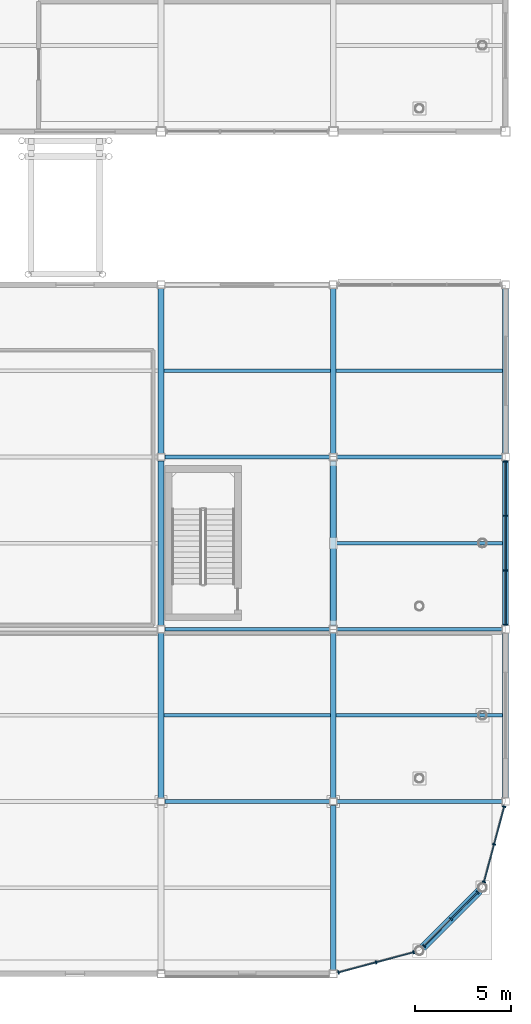
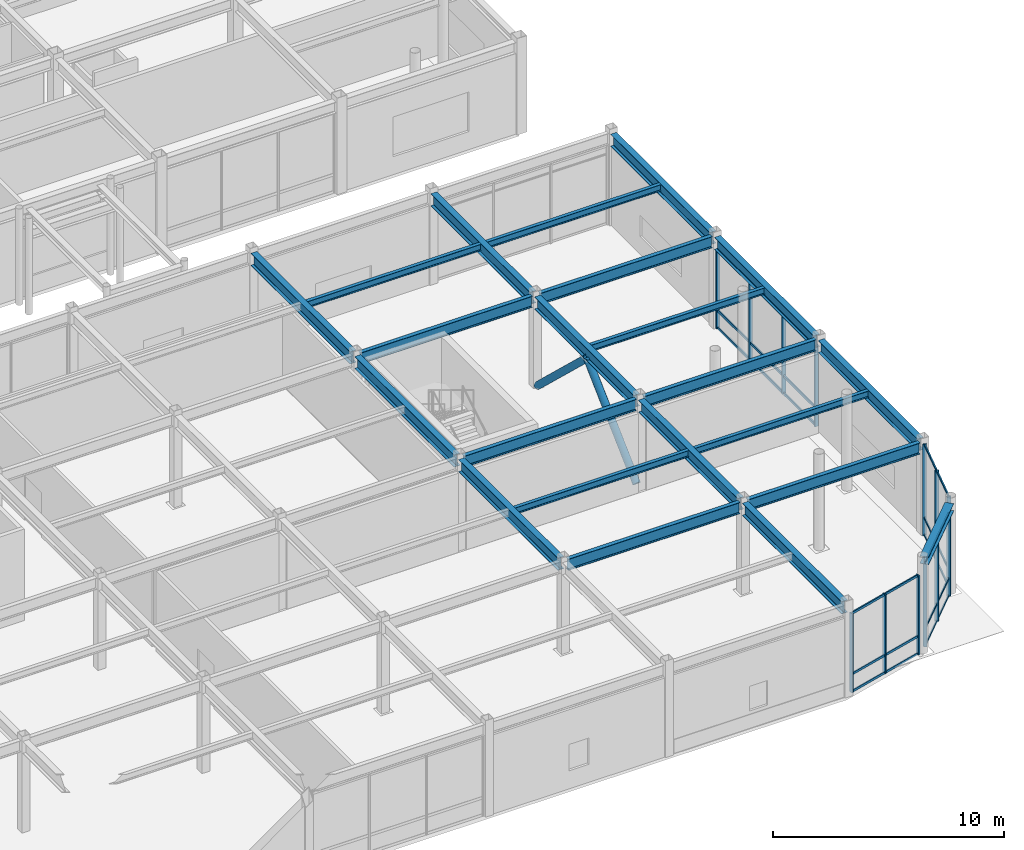
# One storey, part 56 of 123: 42 members, 22 beams, 4 elements without a shape of their own.
"""IFC4 building model written with IfcOpenShell, lengths in metres."""

import ifcopenshell
import ifcopenshell.guid

model = None  # the IFC model being written
_history = None  # IfcOwnerHistory: only IFC2X3 demands one
_inside = {}  # id of a spatial element -> (the spatial element, [elements in it])
_under = {}  # id of a project, library or spatial element -> (it, [spatial elements below it])
_declared = {}  # id of a project -> (the project, [libraries it declares])
_typed = {}  # id of a type object -> (the type object, [elements of that type])
_made_of = {}  # id of a material, layer set ... -> (it, [elements and type objects made of it])


def new_model(schema):
    """Start an empty IFC model of exactly this schema.

    Asked for "IFC4X3", IfcOpenShell would pick the latest addendum, in which some entities
    have other attributes; the version numbers below select the first issue.
    IFC2X3 requires an IfcOwnerHistory on every rooted entity: one is made here for all.
    """
    global model, _history
    if schema == "IFC4X3":
        model = ifcopenshell.file(schema_version=(4, 3, 0, 0))
    else:
        model = ifcopenshell.file(schema=schema)
    _inside.clear()
    _under.clear()
    _declared.clear()
    _typed.clear()
    _made_of.clear()
    _history = None
    if model.schema == "IFC2X3":
        org = make("IfcOrganization", Name="unknown")
        user = make(
            "IfcPersonAndOrganization",
            ThePerson=make("IfcPerson", FamilyName="unknown"),
            TheOrganization=org,
        )
        app = make(
            "IfcApplication",
            ApplicationDeveloper=org,
            Version="unknown",
            ApplicationFullName="unknown",
            ApplicationIdentifier="unknown",
        )
        _history = make(
            "IfcOwnerHistory",
            OwningUser=user,
            OwningApplication=app,
            ChangeAction="ADDED",
            CreationDate=0,
        )
    return model


def make(cls, **values):
    """One entity of the class cls with the attributes given. An attribute that is None is left unset."""
    return model.create_entity(
        cls, **{name: value for name, value in values.items() if value is not None}
    )


def rooted(cls, **values):
    """An entity with a GlobalId (a new one), such as an element, a storey or a relation."""
    return make(cls, GlobalId=ifcopenshell.guid.new(), OwnerHistory=_history, **values)


def si_unit(unit_type, name, prefix=None):
    """IfcSIUnit, for example si_unit("LENGTHUNIT", "METRE", prefix="MILLI")."""
    return make("IfcSIUnit", UnitType=unit_type, Prefix=prefix, Name=name)


def assignment(units):
    """IfcUnitAssignment: the units of a project."""
    return None if units is None else make("IfcUnitAssignment", Units=units)


def point(xyz):
    """IfcCartesianPoint."""
    return None if xyz is None else make("IfcCartesianPoint", Coordinates=xyz)


def direction(xyz):
    """IfcDirection."""
    return None if xyz is None else make("IfcDirection", DirectionRatios=xyz)


def frame(location, z_axis=None, x_axis=None):
    """IfcAxis2Placement3D, a coordinate frame: its origin and axes. An axis left out is left unset."""
    return make(
        "IfcAxis2Placement3D",
        Location=point(location),
        Axis=direction(z_axis),
        RefDirection=direction(x_axis),
    )


def frame_2d(location, x_axis=None):
    """IfcAxis2Placement2D, a coordinate frame in the plane: its origin and x axis."""
    return make(
        "IfcAxis2Placement2D", Location=point(location), RefDirection=direction(x_axis)
    )


def origin():
    """The frame at (0, 0, 0) with its axes left unset."""
    return frame((0.0, 0.0, 0.0))


def origin_2d():
    """The frame at (0, 0) in the plane with its x axis left unset."""
    return frame_2d((0.0, 0.0))


def place(relative_to, where):
    """IfcLocalPlacement: puts the frame where relative to a parent placement (None: the world)."""
    return make(
        "IfcLocalPlacement", PlacementRelTo=relative_to, RelativePlacement=where
    )


def context(
    kind, dimensions, precision=None, world=None, true_north=None, identifier=None
):
    """IfcGeometricRepresentationContext, for example the 3D "Model" context."""
    return make(
        "IfcGeometricRepresentationContext",
        ContextIdentifier=identifier,
        ContextType=kind,
        CoordinateSpaceDimension=dimensions,
        Precision=precision,
        WorldCoordinateSystem=world,
        TrueNorth=true_north,
    )


def subcontext(parent, identifier, kind, view, scale=None):
    """IfcGeometricRepresentationSubContext, for example "Body" below "Model"."""
    return make(
        "IfcGeometricRepresentationSubContext",
        ContextIdentifier=identifier,
        ContextType=kind,
        ParentContext=parent,
        TargetScale=scale,
        TargetView=view,
    )


def project(units=None, contexts=None):
    """IfcProject with its units and contexts."""
    return rooted(
        "IfcProject",
        Name="project",
        RepresentationContexts=contexts,
        UnitsInContext=assignment(units),
    )


def spatial(cls, under=None, at=None, **own):
    """A site, building, storey or space (cls), placed at a placement, below another one or the project."""
    s = rooted(cls, ObjectPlacement=at, **own)
    if under is not None:
        _under.setdefault(under.id(), (under, []))[1].append(s)
    return s


def profile(cls, at=None, kind="AREA", **sizes):
    """A parametric profile (cls). Its sizes go by their IFC names, for example OverallWidth=200.0."""
    return make(cls, ProfileType=kind, Position=at, **sizes)


def rectangle(**sizes):
    """IfcRectangleProfileDef."""
    return profile("IfcRectangleProfileDef", **sizes)


def hollow_circle(**sizes):
    """IfcCircleHollowProfileDef."""
    return profile("IfcCircleHollowProfileDef", **sizes)


def i_section(**sizes):
    """IfcIShapeProfileDef."""
    return profile("IfcIShapeProfileDef", **sizes)


def extrude(swept, where, along, depth):
    """IfcExtrudedAreaSolid: the profile swept, set in the frame where, extruded along a direction by depth."""
    return make(
        "IfcExtrudedAreaSolid",
        SweptArea=swept,
        Position=where,
        ExtrudedDirection=direction(along),
        Depth=depth,
    )


def shape(context_of_items, identifier, shape_type, items):
    """IfcShapeRepresentation: the items that make up one representation, for example the "Body"."""
    return make(
        "IfcShapeRepresentation",
        ContextOfItems=context_of_items,
        RepresentationIdentifier=identifier,
        RepresentationType=shape_type,
        Items=items,
    )


def material(Name=None, Category=None):
    """IfcMaterial."""
    return make("IfcMaterial", Name=Name, Category=Category)


def material_profile(
    of_material, cross_section, Name=None, Category=None, Priority=None
):
    """IfcMaterialProfile: a cross section and its material."""
    return make(
        "IfcMaterialProfile",
        Name=Name,
        Material=of_material,
        Profile=cross_section,
        Priority=Priority,
        Category=Category,
    )


def profile_set(profiles, Name=None, composite=None):
    """IfcMaterialProfileSet."""
    return make(
        "IfcMaterialProfileSet",
        Name=Name,
        MaterialProfiles=profiles,
        CompositeProfile=composite,
    )


def made_of(thing, what):
    """Note that an element or type object is made of a material, layer set ...; save() writes the relation."""
    if what is not None:
        _made_of.setdefault(what.id(), (what, []))[1].append(thing)
    return thing


def type_object(cls, material=None, **own):
    """A type object (cls), such as IfcWallType, which elements share."""
    return made_of(rooted(cls, **own), material)


def element(
    cls,
    number,
    at=None,
    inside=None,
    cuts=None,
    type_object=None,
    material=None,
    context=None,
    identifier="Body",
    shape_type=None,
    held_by="IfcProductDefinitionShape",
    body=None,
    shapes=None,
    **own,
):
    """One element of the class cls, such as IfcWall. Its Tag is "e" and its number.

    at: its placement. inside: the storey or other place that contains it. cuts: it is an
    opening in that element (IfcRelVoidsElement). A single representation is given by context,
    identifier, shape_type and body (its items); several are given by shapes. held_by: the class
    of the entity that holds the representations. save() writes the other relations.
    """
    e = rooted(cls, Tag="e%d" % number, ObjectPlacement=at, **own)
    if body is not None:
        shapes = [shape(context, identifier, shape_type, body)]
    if shapes is not None:
        e.Representation = make(held_by, Representations=shapes)
    if inside is not None:
        _inside.setdefault(inside.id(), (inside, []))[1].append(e)
    if cuts is not None:
        rooted(
            "IfcRelVoidsElement", RelatingBuildingElement=cuts, RelatedOpeningElement=e
        )
    if type_object is not None:
        _typed.setdefault(type_object.id(), (type_object, []))[1].append(e)
    return made_of(e, material)


def aggregate(whole, parts):
    """IfcRelAggregates: a whole, such as a stair, and the parts it consists of."""
    return rooted("IfcRelAggregates", RelatingObject=whole, RelatedObjects=parts)


def save(model, path):
    """Write the relations noted so far, then the file.

    IfcRelAggregates (storeys below a building ...), IfcRelContainedInSpatialStructure (elements
    in a storey), IfcRelDefinesByType, IfcRelAssociatesMaterial and IfcRelDeclares: one each for
    every whole, place, type object, material and project.
    """
    for whole, parts in _under.values():
        aggregate(whole, parts)
    for where, things in _inside.values():
        rooted(
            "IfcRelContainedInSpatialStructure",
            RelatedElements=things,
            RelatingStructure=where,
        )
    for kind, things in _typed.values():
        rooted("IfcRelDefinesByType", RelatedObjects=things, RelatingType=kind)
    for what, things in _made_of.values():
        rooted("IfcRelAssociatesMaterial", RelatedObjects=things, RelatingMaterial=what)
    for by, libraries in _declared.values():
        rooted("IfcRelDeclares", RelatingContext=by, RelatedDefinitions=libraries)
    model.write(path)


model = new_model("IFC4")

# Units and contexts
model_context = context("Model", 3, precision=1e-05, world=origin(), true_north=direction((0.0, 1.0)))
body_context = subcontext(model_context, "Body", "Model", "MODEL_VIEW")
ifc_project = project(units=[si_unit("LENGTHUNIT", "METRE"), si_unit("AREAUNIT", "SQUARE_METRE"), si_unit("VOLUMEUNIT", "CUBIC_METRE"), si_unit("PLANEANGLEUNIT", "RADIAN"), si_unit("MASSUNIT", "GRAM", prefix="KILO")], contexts=[model_context])

# Site, building, storey
site_placement = place(None, origin())
site = spatial("IfcSite", under=ifc_project, at=site_placement, CompositionType="ELEMENT")
building_placement = place(site_placement, origin())
building = spatial("IfcBuilding", under=site, at=building_placement, Name="Suzunagisa Mobility Hub", CompositionType="ELEMENT")
storey_placement = place(building_placement, origin())
storey = spatial("IfcBuildingStorey", under=building, at=storey_placement, Name="L00", CompositionType="ELEMENT", Elevation=0.0)

# Curtain wall, members
ifc_material_1 = material(Name="Thermally Broken Anodized Aluminum and Low-E Glazing", Category="aluminium")
curtain_wall_type_1 = type_object("IfcCurtainWallType", Name="Unitised Curtain Wall CW-32 8500x4200", PredefinedType="USERDEFINED", material=ifc_material_1)
curtain_wall_1_placement = place(storey_placement, origin())
curtain_wall_1 = element("IfcCurtainWall", 1, at=curtain_wall_1_placement, inside=storey, type_object=curtain_wall_type_1, Name="L00 Unitised Curtain Wall CW-146", ObjectType="UNITISED CURTAIN WALL", PredefinedType="USERDEFINED")
ifc_material_2 = material(Name="Anodized Aluminum 6063-T6", Category="aluminium")
ifc_material_profile_1 = material_profile(ifc_material_2, rectangle(XDim=0.06494140625, YDim=0.139892578125, at=origin_2d()), Name="TRAN-65x140")
ifc_profile_set_1 = profile_set([ifc_material_profile_1], Name="Anodized Aluminum 6063-T6")
member_type_1 = type_object("IfcMemberType", Name="Curtain Wall Framing CM-01 TRAN-65x140", PredefinedType="USERDEFINED", material=ifc_profile_set_1)
member_1_placement = place(storey_placement, frame((180.0, 18.262939453125, 0.032470703125), z_axis=(0.0, 1.0, 0.0), x_axis=(-1.0, 0.0, 0.0)))
member_1 = element("IfcMember", 2, at=member_1_placement, type_object=member_type_1, Name="Curtain Wall Transom 146-T1.1", ObjectType="TRANSOM", PredefinedType="USERDEFINED", context=body_context, shape_type="SweptSolid", body=[
    extrude(rectangle(XDim=0.06494140625, YDim=0.139892578125, at=origin_2d()), origin(), (0.0, 0.0, 1.0), 2.773193359375),
])
member_2_placement = place(storey_placement, frame((180.0, 18.262939453125, 0.949951171875), z_axis=(0.0, 1.0, 0.0), x_axis=(-1.0, 0.0, 0.0)))
member_2 = element("IfcMember", 3, at=member_2_placement, type_object=member_type_1, Name="Curtain Wall Transom 146-T1.2", ObjectType="TRANSOM", PredefinedType="USERDEFINED", context=body_context, shape_type="SweptSolid", body=[
    extrude(rectangle(XDim=0.06494140625, YDim=0.139892578125, at=origin_2d()), origin(), (0.0, 0.0, 1.0), 2.773193359375),
])
member_3_placement = place(storey_placement, frame((180.0, 18.262939453125, 4.157470703125), z_axis=(0.0, 1.0, 0.0), x_axis=(-1.0, 0.0, 0.0)))
member_3 = element("IfcMember", 4, at=member_3_placement, type_object=member_type_1, Name="Curtain Wall Transom 146-T1.3", ObjectType="TRANSOM", PredefinedType="USERDEFINED", context=body_context, shape_type="SweptSolid", body=[
    extrude(rectangle(XDim=0.06494140625, YDim=0.139892578125, at=origin_2d()), origin(), (0.0, 0.0, 1.0), 2.773193359375),
])
member_4_placement = place(storey_placement, frame((180.0, 21.09716796875, 0.032470703125), z_axis=(0.0, 1.0, 0.0), x_axis=(-1.0, 0.0, 0.0)))
member_4 = element("IfcMember", 5, at=member_4_placement, type_object=member_type_1, Name="Curtain Wall Transom 146-T2.1", ObjectType="TRANSOM", PredefinedType="USERDEFINED", context=body_context, shape_type="SweptSolid", body=[
    extrude(rectangle(XDim=0.06494140625, YDim=0.139892578125, at=origin_2d()), origin(), (0.0, 0.0, 1.0), 2.8056640625),
])
member_5_placement = place(storey_placement, frame((180.0, 21.09716796875, 0.949951171875), z_axis=(0.0, 1.0, 0.0), x_axis=(-1.0, 0.0, 0.0)))
member_5 = element("IfcMember", 6, at=member_5_placement, type_object=member_type_1, Name="Curtain Wall Transom 146-T2.2", ObjectType="TRANSOM", PredefinedType="USERDEFINED", context=body_context, shape_type="SweptSolid", body=[
    extrude(rectangle(XDim=0.06494140625, YDim=0.139892578125, at=origin_2d()), origin(), (0.0, 0.0, 1.0), 2.8056640625),
])
member_6_placement = place(storey_placement, frame((180.0, 21.09716796875, 4.157470703125), z_axis=(0.0, 1.0, 0.0), x_axis=(-1.0, 0.0, 0.0)))
member_6 = element("IfcMember", 7, at=member_6_placement, type_object=member_type_1, Name="Curtain Wall Transom 146-T2.3", ObjectType="TRANSOM", PredefinedType="USERDEFINED", context=body_context, shape_type="SweptSolid", body=[
    extrude(rectangle(XDim=0.06494140625, YDim=0.139892578125, at=origin_2d()), origin(), (0.0, 0.0, 1.0), 2.8056640625),
])
member_7_placement = place(storey_placement, frame((180.0, 23.9638671875, 0.032470703125), z_axis=(0.0, 1.0, 0.0), x_axis=(-1.0, 0.0, 0.0)))
member_7 = element("IfcMember", 8, at=member_7_placement, type_object=member_type_1, Name="Curtain Wall Transom 146-T3.1", ObjectType="TRANSOM", PredefinedType="USERDEFINED", context=body_context, shape_type="SweptSolid", body=[
    extrude(rectangle(XDim=0.06494140625, YDim=0.139892578125, at=origin_2d()), origin(), (0.0, 0.0, 1.0), 2.773193359375),
])
member_8_placement = place(storey_placement, frame((180.0, 23.9638671875, 0.949951171875), z_axis=(0.0, 1.0, 0.0), x_axis=(-1.0, 0.0, 0.0)))
member_8 = element("IfcMember", 9, at=member_8_placement, type_object=member_type_1, Name="Curtain Wall Transom 146-T3.2", ObjectType="TRANSOM", PredefinedType="USERDEFINED", context=body_context, shape_type="SweptSolid", body=[
    extrude(rectangle(XDim=0.06494140625, YDim=0.139892578125, at=origin_2d()), origin(), (0.0, 0.0, 1.0), 2.773193359375),
])
member_9_placement = place(storey_placement, frame((180.0, 23.9638671875, 4.157470703125), z_axis=(0.0, 1.0, 0.0), x_axis=(-1.0, 0.0, 0.0)))
member_9 = element("IfcMember", 10, at=member_9_placement, type_object=member_type_1, Name="Curtain Wall Transom 146-T3.3", ObjectType="TRANSOM", PredefinedType="USERDEFINED", context=body_context, shape_type="SweptSolid", body=[
    extrude(rectangle(XDim=0.06494140625, YDim=0.139892578125, at=origin_2d()), origin(), (0.0, 0.0, 1.0), 2.773193359375),
])

curtain_wall_type_2 = type_object("IfcCurtainWallType", Name="Unitised Curtain Wall CW-37 4250x4200", PredefinedType="USERDEFINED", material=ifc_material_1)
curtain_wall_2_placement = place(storey_placement, origin())
curtain_wall_2 = element("IfcCurtainWall", 11, at=curtain_wall_2_placement, inside=storey, type_object=curtain_wall_type_2, Name="L00 Unitised Curtain Wall CW-143", ObjectType="UNITISED CURTAIN WALL", PredefinedType="USERDEFINED")
ifc_material_profile_2 = material_profile(ifc_material_2, rectangle(XDim=0.06005859375, YDim=0.1201171875, at=origin_2d()), Name="TRAN-60x120")
ifc_profile_set_2 = profile_set([ifc_material_profile_2], Name="Anodized Aluminum 6063-T6")
member_type_2 = type_object("IfcMemberType", Name="Curtain Wall Framing CM-02 TRAN-60x120", PredefinedType="USERDEFINED", material=ifc_profile_set_2)
member_10_placement = place(storey_placement, frame((171.297607421875, 0.07958984375, 0.030029296875), z_axis=(0.96589115545, 0.258948403786, 0.0), x_axis=(-0.258948403786, 0.96589115545, 0.0)))
member_10 = element("IfcMember", 12, at=member_10_placement, type_object=member_type_2, Name="Curtain Wall Transom 143-T1.1", ObjectType="TRANSOM", PredefinedType="USERDEFINED", context=body_context, shape_type="SweptSolid", body=[
    extrude(rectangle(XDim=0.06005859375, YDim=0.1201171875, at=origin_2d()), origin(), (0.0, 0.0, 1.0), 1.973388671875),
])
member_11_placement = place(storey_placement, frame((171.297607421875, 0.07958984375, 0.949951171875), z_axis=(0.96589115545, 0.258948403786, 0.0), x_axis=(-0.258948403786, 0.96589115545, 0.0)))
member_11 = element("IfcMember", 13, at=member_11_placement, type_object=member_type_2, Name="Curtain Wall Transom 143-T1.2", ObjectType="TRANSOM", PredefinedType="USERDEFINED", context=body_context, shape_type="SweptSolid", body=[
    extrude(rectangle(XDim=0.06005859375, YDim=0.1201171875, at=origin_2d()), origin(), (0.0, 0.0, 1.0), 1.973388671875),
])
member_12_placement = place(storey_placement, frame((171.297607421875, 0.07958984375, 4.159912109375), z_axis=(0.96589115545, 0.258948403786, 0.0), x_axis=(-0.258948403786, 0.96589115545, 0.0)))
member_12 = element("IfcMember", 14, at=member_12_placement, type_object=member_type_2, Name="Curtain Wall Transom 143-T1.3", ObjectType="TRANSOM", PredefinedType="USERDEFINED", context=body_context, shape_type="SweptSolid", body=[
    extrude(rectangle(XDim=0.06005859375, YDim=0.1201171875, at=origin_2d()), origin(), (0.0, 0.0, 1.0), 1.973388671875),
])
member_13_placement = place(storey_placement, frame((173.262451171875, 0.606201171875, 0.030029296875), z_axis=(0.965930381603, 0.258802043841, 0.0), x_axis=(-0.258802043841, 0.965930381603, 0.0)))
member_13 = element("IfcMember", 15, at=member_13_placement, type_object=member_type_2, Name="Curtain Wall Transom 143-T2.1", ObjectType="TRANSOM", PredefinedType="USERDEFINED", context=body_context, shape_type="SweptSolid", body=[
    extrude(rectangle(XDim=0.06005859375, YDim=0.1201171875, at=origin_2d()), origin(), (0.0, 0.0, 1.0), 1.973388671875),
])
member_14_placement = place(storey_placement, frame((173.262451171875, 0.606201171875, 0.949951171875), z_axis=(0.965930381603, 0.258802043841, 0.0), x_axis=(-0.258802043841, 0.965930381603, 0.0)))
member_14 = element("IfcMember", 16, at=member_14_placement, type_object=member_type_2, Name="Curtain Wall Transom 143-T2.2", ObjectType="TRANSOM", PredefinedType="USERDEFINED", context=body_context, shape_type="SweptSolid", body=[
    extrude(rectangle(XDim=0.06005859375, YDim=0.1201171875, at=origin_2d()), origin(), (0.0, 0.0, 1.0), 1.973388671875),
])
member_15_placement = place(storey_placement, frame((173.262451171875, 0.606201171875, 4.159912109375), z_axis=(0.965930381603, 0.258802043841, 0.0), x_axis=(-0.258802043841, 0.965930381603, 0.0)))
member_15 = element("IfcMember", 17, at=member_15_placement, type_object=member_type_2, Name="Curtain Wall Transom 143-T2.3", ObjectType="TRANSOM", PredefinedType="USERDEFINED", context=body_context, shape_type="SweptSolid", body=[
    extrude(rectangle(XDim=0.06005859375, YDim=0.1201171875, at=origin_2d()), origin(), (0.0, 0.0, 1.0), 1.973388671875),
])

curtain_wall_type_3 = type_object("IfcCurtainWallType", Name="Unitised Curtain Wall CW-26 4000x4400", PredefinedType="USERDEFINED", material=ifc_material_1)
curtain_wall_3_placement = place(storey_placement, origin())
curtain_wall_3 = element("IfcCurtainWall", 18, at=curtain_wall_3_placement, inside=storey, type_object=curtain_wall_type_3, Name="L00 Unitised Curtain Wall CW-144", ObjectType="UNITISED CURTAIN WALL", PredefinedType="USERDEFINED")
member_16_placement = place(storey_placement, frame((175.773193359375, 1.47900390625, 0.030029296875), z_axis=(0.707106781187, 0.707106781187, 0.0), x_axis=(-0.707106781187, 0.707106781187, 0.0)))
member_16 = element("IfcMember", 19, at=member_16_placement, type_object=member_type_2, Name="Curtain Wall Transom 144-T1.1", ObjectType="TRANSOM", PredefinedType="USERDEFINED", context=body_context, shape_type="SweptSolid", body=[
    extrude(rectangle(XDim=0.06005859375, YDim=0.1201171875, at=origin_2d()), origin(), (0.0, 0.0, 1.0), 1.912353515625),
])
member_17_placement = place(storey_placement, frame((175.773193359375, 1.47900390625, 0.949951171875), z_axis=(0.707106781187, 0.707106781187, 0.0), x_axis=(-0.707106781187, 0.707106781187, 0.0)))
member_17 = element("IfcMember", 20, at=member_17_placement, type_object=member_type_2, Name="Curtain Wall Transom 144-T1.2", ObjectType="TRANSOM", PredefinedType="USERDEFINED", context=body_context, shape_type="SweptSolid", body=[
    extrude(rectangle(XDim=0.06005859375, YDim=0.1201171875, at=origin_2d()), origin(), (0.0, 0.0, 1.0), 1.912353515625),
])
member_18_placement = place(storey_placement, frame((175.773193359375, 1.47900390625, 4.409912109375), z_axis=(0.707106781187, 0.707106781187, 0.0), x_axis=(-0.707106781187, 0.707106781187, 0.0)))
member_18 = element("IfcMember", 21, at=member_18_placement, type_object=member_type_2, Name="Curtain Wall Transom 144-T1.3", ObjectType="TRANSOM", PredefinedType="USERDEFINED", context=body_context, shape_type="SweptSolid", body=[
    extrude(rectangle(XDim=0.06005859375, YDim=0.1201171875, at=origin_2d()), origin(), (0.0, 0.0, 1.0), 1.912353515625),
])
member_19_placement = place(storey_placement, frame((177.168701171875, 2.87451171875, 0.030029296875), z_axis=(0.707106781187, 0.707106781187, 0.0), x_axis=(-0.707106781187, 0.707106781187, 0.0)))
member_19 = element("IfcMember", 22, at=member_19_placement, type_object=member_type_2, Name="Curtain Wall Transom 144-T2.1", ObjectType="TRANSOM", PredefinedType="USERDEFINED", context=body_context, shape_type="SweptSolid", body=[
    extrude(rectangle(XDim=0.06005859375, YDim=0.1201171875, at=origin_2d()), origin(), (0.0, 0.0, 1.0), 1.912353515625),
])
member_20_placement = place(storey_placement, frame((177.168701171875, 2.87451171875, 0.949951171875), z_axis=(0.707106781187, 0.707106781187, 0.0), x_axis=(-0.707106781187, 0.707106781187, 0.0)))
member_20 = element("IfcMember", 23, at=member_20_placement, type_object=member_type_2, Name="Curtain Wall Transom 144-T2.2", ObjectType="TRANSOM", PredefinedType="USERDEFINED", context=body_context, shape_type="SweptSolid", body=[
    extrude(rectangle(XDim=0.06005859375, YDim=0.1201171875, at=origin_2d()), origin(), (0.0, 0.0, 1.0), 1.912353515625),
])
member_21_placement = place(storey_placement, frame((177.168701171875, 2.87451171875, 4.409912109375), z_axis=(0.707106781187, 0.707106781187, 0.0), x_axis=(-0.707106781187, 0.707106781187, 0.0)))
member_21 = element("IfcMember", 24, at=member_21_placement, type_object=member_type_2, Name="Curtain Wall Transom 144-T2.3", ObjectType="TRANSOM", PredefinedType="USERDEFINED", context=body_context, shape_type="SweptSolid", body=[
    extrude(rectangle(XDim=0.06005859375, YDim=0.1201171875, at=origin_2d()), origin(), (0.0, 0.0, 1.0), 1.912353515625),
])

curtain_wall_type_4 = type_object("IfcCurtainWallType", Name="Unitised Curtain Wall CW-46 4250x4800", PredefinedType="USERDEFINED", material=ifc_material_1)
curtain_wall_4_placement = place(storey_placement, origin())
curtain_wall_4 = element("IfcCurtainWall", 25, at=curtain_wall_4_placement, inside=storey, type_object=curtain_wall_type_4, Name="L00 Unitised Curtain Wall CW-145", ObjectType="UNITISED CURTAIN WALL", PredefinedType="USERDEFINED")
member_22_placement = place(storey_placement, frame((178.883056640625, 4.831298828125, 0.030029296875), z_axis=(0.258832973105, 0.965922094184, 0.0), x_axis=(-0.965922094184, 0.258832973105, 0.0)))
member_22 = element("IfcMember", 26, at=member_22_placement, type_object=member_type_2, Name="Curtain Wall Transom 145-T1.1", ObjectType="TRANSOM", PredefinedType="USERDEFINED", context=body_context, shape_type="SweptSolid", body=[
    extrude(rectangle(XDim=0.06005859375, YDim=0.1201171875, at=origin_2d()), origin(), (0.0, 0.0, 1.0), 1.97314453125),
])
member_23_placement = place(storey_placement, frame((178.883056640625, 4.831298828125, 0.949951171875), z_axis=(0.258832973105, 0.965922094184, 0.0), x_axis=(-0.965922094184, 0.258832973105, 0.0)))
member_23 = element("IfcMember", 27, at=member_23_placement, type_object=member_type_2, Name="Curtain Wall Transom 145-T1.2", ObjectType="TRANSOM", PredefinedType="USERDEFINED", context=body_context, shape_type="SweptSolid", body=[
    extrude(rectangle(XDim=0.06005859375, YDim=0.1201171875, at=origin_2d()), origin(), (0.0, 0.0, 1.0), 1.97314453125),
])
member_24_placement = place(storey_placement, frame((178.883056640625, 4.831298828125, 4.81005859375), z_axis=(0.258832973105, 0.965922094184, 0.0), x_axis=(-0.965922094184, 0.258832973105, 0.0)))
member_24 = element("IfcMember", 28, at=member_24_placement, type_object=member_type_2, Name="Curtain Wall Transom 145-T1.3", ObjectType="TRANSOM", PredefinedType="USERDEFINED", context=body_context, shape_type="SweptSolid", body=[
    extrude(rectangle(XDim=0.06005859375, YDim=0.1201171875, at=origin_2d()), origin(), (0.0, 0.0, 1.0), 1.97314453125),
])
member_25_placement = place(storey_placement, frame((179.40966796875, 6.79638671875, 0.030029296875), z_axis=(0.258802043841, 0.965930381603, 0.0), x_axis=(-0.965930381603, 0.258802043841, 0.0)))
member_25 = element("IfcMember", 29, at=member_25_placement, type_object=member_type_2, Name="Curtain Wall Transom 145-T2.1", ObjectType="TRANSOM", PredefinedType="USERDEFINED", context=body_context, shape_type="SweptSolid", body=[
    extrude(rectangle(XDim=0.06005859375, YDim=0.1201171875, at=origin_2d()), origin(), (0.0, 0.0, 1.0), 1.973388671875),
])
member_26_placement = place(storey_placement, frame((179.40966796875, 6.79638671875, 0.949951171875), z_axis=(0.258802043841, 0.965930381603, 0.0), x_axis=(-0.965930381603, 0.258802043841, 0.0)))
member_26 = element("IfcMember", 30, at=member_26_placement, type_object=member_type_2, Name="Curtain Wall Transom 145-T2.2", ObjectType="TRANSOM", PredefinedType="USERDEFINED", context=body_context, shape_type="SweptSolid", body=[
    extrude(rectangle(XDim=0.06005859375, YDim=0.1201171875, at=origin_2d()), origin(), (0.0, 0.0, 1.0), 1.973388671875),
])
member_27_placement = place(storey_placement, frame((179.40966796875, 6.79638671875, 4.81005859375), z_axis=(0.258802043841, 0.965930381603, 0.0), x_axis=(-0.965930381603, 0.258802043841, 0.0)))
member_27 = element("IfcMember", 31, at=member_27_placement, type_object=member_type_2, Name="Curtain Wall Transom 145-T2.3", ObjectType="TRANSOM", PredefinedType="USERDEFINED", context=body_context, shape_type="SweptSolid", body=[
    extrude(rectangle(XDim=0.06005859375, YDim=0.1201171875, at=origin_2d()), origin(), (0.0, 0.0, 1.0), 1.973388671875),
])

# Member
ifc_material_profile_3 = material_profile(ifc_material_2, rectangle(XDim=0.06494140625, YDim=0.179931640625, at=origin_2d()), Name="MULL-65x180")
ifc_profile_set_3 = profile_set([ifc_material_profile_3], Name="Anodized Aluminum 6063-T6")
member_type_3 = type_object("IfcMemberType", Name="Curtain Wall Framing CM-04 MULL-65x180", PredefinedType="MULLION", material=ifc_profile_set_3)
member_28_placement = place(storey_placement, frame((171.26806640625, 0.07177734375, 0.0), z_axis=(0.0, 0.0, 1.0), x_axis=(0.965927103862, 0.258814277087, 0.0)))
member_28 = element("IfcMember", 32, at=member_28_placement, type_object=member_type_3, Name="Curtain Wall Mullion 143-M1", PredefinedType="MULLION", context=body_context, shape_type="SweptSolid", body=[
    extrude(rectangle(XDim=0.06494140625, YDim=0.179931640625, at=origin_2d()), origin(), (0.0, 0.0, 1.0), 4.18994140625),
])

member_29_placement = place(storey_placement, frame((173.233154296875, 0.598388671875, 0.0), z_axis=(0.0, 0.0, 1.0), x_axis=(0.965927103862, 0.258814277087, 0.0)))
member_29 = element("IfcMember", 33, at=member_29_placement, type_object=member_type_3, Name="Curtain Wall Mullion 143-M2", PredefinedType="MULLION", context=body_context, shape_type="SweptSolid", body=[
    extrude(rectangle(XDim=0.06494140625, YDim=0.179931640625, at=origin_2d()), origin(), (0.0, 0.0, 1.0), 4.18994140625),
])

member_30_placement = place(storey_placement, frame((175.1982421875, 1.125, 0.0), z_axis=(0.0, 0.0, 1.0), x_axis=(0.965927103862, 0.258814277087, 0.0)))
member_30 = element("IfcMember", 34, at=member_30_placement, type_object=member_type_3, Name="Curtain Wall Mullion 143-M3", PredefinedType="MULLION", context=body_context, shape_type="SweptSolid", body=[
    extrude(rectangle(XDim=0.06494140625, YDim=0.179931640625, at=origin_2d()), origin(), (0.0, 0.0, 1.0), 4.18994140625),
])

aggregate(curtain_wall_2, [member_28, member_29, member_30, member_10, member_11, member_12, member_13, member_14, member_15])

member_31_placement = place(storey_placement, frame((175.751708984375, 1.45751953125, 0.0), z_axis=(0.0, 0.0, 1.0), x_axis=(0.707106781187, 0.707106781187, 0.0)))
member_31 = element("IfcMember", 35, at=member_31_placement, type_object=member_type_3, Name="Curtain Wall Mullion 144-M1", PredefinedType="MULLION", context=body_context, shape_type="SweptSolid", body=[
    extrude(rectangle(XDim=0.06494140625, YDim=0.179931640625, at=origin_2d()), origin(), (0.0, 0.0, 1.0), 4.43994140625),
])

member_32_placement = place(storey_placement, frame((177.147216796875, 2.852783203125, 0.0), z_axis=(0.0, 0.0, 1.0), x_axis=(0.707106781187, 0.707106781187, 0.0)))
member_32 = element("IfcMember", 36, at=member_32_placement, type_object=member_type_3, Name="Curtain Wall Mullion 144-M2", PredefinedType="MULLION", context=body_context, shape_type="SweptSolid", body=[
    extrude(rectangle(XDim=0.06494140625, YDim=0.179931640625, at=origin_2d()), origin(), (0.0, 0.0, 1.0), 4.43994140625),
])

member_33_placement = place(storey_placement, frame((178.54248046875, 4.248291015625, 0.0), z_axis=(0.0, 0.0, 1.0), x_axis=(0.707106781187, 0.707106781187, 0.0)))
member_33 = element("IfcMember", 37, at=member_33_placement, type_object=member_type_3, Name="Curtain Wall Mullion 144-M3", PredefinedType="MULLION", context=body_context, shape_type="SweptSolid", body=[
    extrude(rectangle(XDim=0.06494140625, YDim=0.179931640625, at=origin_2d()), origin(), (0.0, 0.0, 1.0), 4.43994140625),
])

aggregate(curtain_wall_3, [member_31, member_32, member_33, member_16, member_17, member_18, member_19, member_20, member_21])

member_34_placement = place(storey_placement, frame((178.875, 4.8017578125, 0.0), z_axis=(0.0, 0.0, 1.0), x_axis=(0.258814277087, 0.965927103862, 0.0)))
member_34 = element("IfcMember", 38, at=member_34_placement, type_object=member_type_3, Name="Curtain Wall Mullion 145-M1", PredefinedType="MULLION", context=body_context, shape_type="SweptSolid", body=[
    extrude(rectangle(XDim=0.06494140625, YDim=0.179931640625, at=origin_2d()), origin(), (0.0, 0.0, 1.0), 4.840087890625),
])

member_35_placement = place(storey_placement, frame((179.401611328125, 6.766845703125, 0.0), z_axis=(0.0, 0.0, 1.0), x_axis=(0.258814277087, 0.965927103862, 0.0)))
member_35 = element("IfcMember", 39, at=member_35_placement, type_object=member_type_3, Name="Curtain Wall Mullion 145-M2", PredefinedType="MULLION", context=body_context, shape_type="SweptSolid", body=[
    extrude(rectangle(XDim=0.06494140625, YDim=0.179931640625, at=origin_2d()), origin(), (0.0, 0.0, 1.0), 4.840087890625),
])

member_36_placement = place(storey_placement, frame((179.92822265625, 8.73193359375, 0.0), z_axis=(0.0, 0.0, 1.0), x_axis=(0.258814277087, 0.965927103862, 0.0)))
member_36 = element("IfcMember", 40, at=member_36_placement, type_object=member_type_3, Name="Curtain Wall Mullion 145-M3", PredefinedType="MULLION", context=body_context, shape_type="SweptSolid", body=[
    extrude(rectangle(XDim=0.06494140625, YDim=0.179931640625, at=origin_2d()), origin(), (0.0, 0.0, 1.0), 4.840087890625),
])

aggregate(curtain_wall_4, [member_34, member_35, member_36, member_22, member_23, member_24, member_25, member_26, member_27])

member_37_placement = place(storey_placement, frame((180.0, 18.232421875, 0.0), z_axis=(0.0, 0.0, 1.0), x_axis=(0.0, 1.0, 0.0)))
member_37 = element("IfcMember", 41, at=member_37_placement, type_object=member_type_3, Name="Curtain Wall Mullion 146-M1", PredefinedType="MULLION", context=body_context, shape_type="SweptSolid", body=[
    extrude(rectangle(XDim=0.06494140625, YDim=0.179931640625, at=origin_2d()), origin(), (0.0, 0.0, 1.0), 4.18994140625),
])

member_38_placement = place(storey_placement, frame((180.0, 21.066650390625, 0.0), z_axis=(0.0, 0.0, 1.0), x_axis=(0.0, 1.0, 0.0)))
member_38 = element("IfcMember", 42, at=member_38_placement, type_object=member_type_3, Name="Curtain Wall Mullion 146-M2", PredefinedType="MULLION", context=body_context, shape_type="SweptSolid", body=[
    extrude(rectangle(XDim=0.06494140625, YDim=0.179931640625, at=origin_2d()), origin(), (0.0, 0.0, 1.0), 4.18994140625),
])

member_39_placement = place(storey_placement, frame((180.0, 23.933349609375, 0.0), z_axis=(0.0, 0.0, 1.0), x_axis=(0.0, 1.0, 0.0)))
member_39 = element("IfcMember", 43, at=member_39_placement, type_object=member_type_3, Name="Curtain Wall Mullion 146-M3", PredefinedType="MULLION", context=body_context, shape_type="SweptSolid", body=[
    extrude(rectangle(XDim=0.06494140625, YDim=0.179931640625, at=origin_2d()), origin(), (0.0, 0.0, 1.0), 4.18994140625),
])

member_40_placement = place(storey_placement, frame((180.0, 26.767578125, 0.0), z_axis=(0.0, 0.0, 1.0), x_axis=(0.0, 1.0, 0.0)))
member_40 = element("IfcMember", 44, at=member_40_placement, type_object=member_type_3, Name="Curtain Wall Mullion 146-M4", PredefinedType="MULLION", context=body_context, shape_type="SweptSolid", body=[
    extrude(rectangle(XDim=0.06494140625, YDim=0.179931640625, at=origin_2d()), origin(), (0.0, 0.0, 1.0), 4.18994140625),
])

aggregate(curtain_wall_1, [member_37, member_38, member_39, member_40, member_1, member_2, member_3, member_4, member_5, member_6, member_7, member_8, member_9])

# Members
ifc_material_3 = material(Name="Steel SN490B", Category="steel")
ifc_material_profile_4 = material_profile(ifc_material_3, hollow_circle(Radius=0.177734375, WallThickness=0.0126953125, at=origin_2d()), Name="CHS-355.6x12.7")
ifc_profile_set_4 = profile_set([ifc_material_profile_4], Name="Steel SN490B")
member_type_4 = type_object("IfcMemberType", Name="Roof Truss and Brace Member MB-03 CHS-355.6x12.7", PredefinedType="BRACE", material=ifc_profile_set_4)
for number, where, z_axis, x_axis, name in (
    (45, (171.0, 18.219970703125, 0.1201171875), (0.0, 0.72585584544, 0.687846851879), (-1.0, 0.0, 0.0), "L00 Concentric Lateral Brace BR-53"),
    (46, (171.0, 26.780029296875, 0.1201171875), (0.0, -0.72585584544, 0.687846851879), (1.0, 0.0, 0.0), "L00 Concentric Lateral Brace BR-54"),
):
    element("IfcMember", number, at=place(storey_placement, frame(where, z_axis=z_axis, x_axis=x_axis)), inside=storey, type_object=member_type_4, Name=name, PredefinedType="BRACE", context=body_context, shape_type="SweptSolid", body=[
        extrude(hollow_circle(Radius=0.177734375, WallThickness=0.0126953125, at=origin_2d()), origin(), (0.0, 0.0, 1.0), 5.896484375),
    ])

# Beams
ifc_material_4 = material(Name="Steel SN400B", Category="steel")
ifc_material_profile_5 = material_profile(ifc_material_4, i_section(OverallWidth=0.175048828125, OverallDepth=0.35009765625, WebThickness=0.007080078125, FlangeThickness=0.010986328125, FilletRadius=0.008056640625, at=origin_2d()), Name="H-350x175x7x11")
ifc_profile_set_5 = profile_set([ifc_material_profile_5], Name="Steel SN400B")
beam_type_1 = type_object("IfcBeamType", Name="Steel Beam BM-03 H-350x175x7x11", PredefinedType="JOIST", material=ifc_profile_set_5)
for number, where, z_axis, x_axis, name in (
    (47, (162.14990234375, 13.5, 4.6650390625), (1.0, 0.0, 0.0), (0.0, 1.0, 0.0), "L00 Composite Floor Joist J-1452"),
    (48, (162.14990234375, 31.5, 4.6650390625), (1.0, 0.0, 0.0), (0.0, 1.0, 0.0), "L00 Composite Floor Joist J-1453"),
    (49, (171.14990234375, 13.5, 4.6650390625), (1.0, 0.0, 0.0), (0.0, 1.0, 0.0), "L00 Composite Floor Joist J-1454"),
    (50, (171.14990234375, 22.5, 4.6650390625), (1.0, 0.0, 0.0), (0.0, 1.0, 0.0), "L00 Composite Floor Joist J-1455"),
    (51, (171.14990234375, 31.5, 4.6650390625), (1.0, 0.0, 0.0), (0.0, 1.0, 0.0), "L00 Composite Floor Joist J-1456"),
):
    element("IfcBeam", number, at=place(storey_placement, frame(where, z_axis=z_axis, x_axis=x_axis)), inside=storey, type_object=beam_type_1, Name=name, PredefinedType="JOIST", context=body_context, shape_type="SweptSolid", body=[
        extrude(i_section(OverallWidth=0.175048828125, OverallDepth=0.35009765625, WebThickness=0.007080078125, FlangeThickness=0.010986328125, FilletRadius=0.008056640625, at=origin_2d()), origin(), (0.0, 0.0, 1.0), 8.7001953125),
    ])
ifc_material_profile_6 = material_profile(ifc_material_3, i_section(OverallWidth=0.199951171875, OverallDepth=0.60009765625, WebThickness=0.010986328125, FlangeThickness=0.01708984375, FilletRadius=0.012939453125, at=origin_2d()), Name="H-600x200x11x17")
ifc_profile_set_6 = profile_set([ifc_material_profile_6], Name="Steel SN490B")
beam_type_2 = type_object("IfcBeamType", Name="Steel Beam BM-07 H-600x200x11x17", PredefinedType="BEAM", material=ifc_profile_set_6)
for number, where, z_axis, x_axis, name in (
    (52, (162.196044921875, 9.0, 4.5400390625), (1.0, 0.0, 0.0), (0.0, 1.0, 0.0), "L00 Primary Girder GX-1399"),
    (53, (171.196044921875, 9.0, 4.5400390625), (1.0, 0.0, 0.0), (0.0, 1.0, 0.0), "L00 Primary Girder GX-1400"),
    (54, (162.196044921875, 18.0, 4.5400390625), (1.0, 0.0, 0.0), (0.0, 1.0, 0.0), "L00 Primary Girder GX-1404"),
    (55, (171.196044921875, 18.0, 4.5400390625), (1.0, 0.0, 0.0), (0.0, 1.0, 0.0), "L00 Primary Girder GX-1405"),
    (56, (162.196044921875, 27.0, 4.5400390625), (1.0, 0.0, 0.0), (0.0, 1.0, 0.0), "L00 Primary Girder GX-1409"),
    (57, (171.196044921875, 27.0, 4.5400390625), (1.0, 0.0, 0.0), (0.0, 1.0, 0.0), "L00 Primary Girder GX-1410"),
):
    element("IfcBeam", number, at=place(storey_placement, frame(where, z_axis=z_axis, x_axis=x_axis)), inside=storey, type_object=beam_type_2, Name=name, PredefinedType="BEAM", context=body_context, shape_type="SweptSolid", body=[
        extrude(i_section(OverallWidth=0.199951171875, OverallDepth=0.60009765625, WebThickness=0.010986328125, FlangeThickness=0.01708984375, FilletRadius=0.012939453125, at=origin_2d()), origin(), (0.0, 0.0, 1.0), 8.60791015625),
    ])
ifc_material_profile_7 = material_profile(ifc_material_3, i_section(OverallWidth=0.300048828125, OverallDepth=0.64990234375, WebThickness=0.012939453125, FlangeThickness=0.02197265625, FilletRadius=0.01611328125, at=origin_2d()), Name="H-650x300x13x22")
ifc_profile_set_7 = profile_set([ifc_material_profile_7], Name="Steel SN490B")
beam_type_3 = type_object("IfcBeamType", Name="Steel Beam BM-10 H-650x300x13x22", PredefinedType="BEAM", material=ifc_profile_set_7)
for number, where, z_axis, x_axis, name in (
    (58, (162.0, 9.196044921875, 4.514892578125), (0.0, 1.0, 0.0), (-1.0, 0.0, 0.0), "L00 Primary Girder GY-1429"),
    (59, (162.0, 18.196044921875, 4.514892578125), (0.0, 1.0, 0.0), (-1.0, 0.0, 0.0), "L00 Primary Girder GY-1430"),
    (60, (162.0, 27.196044921875, 4.514892578125), (0.0, 1.0, 0.0), (-1.0, 0.0, 0.0), "L00 Primary Girder GY-1431"),
    (61, (171.0, 0.196044921875, 4.514892578125), (0.0, 1.0, 0.0), (-1.0, 0.0, 0.0), "L00 Primary Girder GY-1432"),
    (62, (171.0, 9.196044921875, 4.514892578125), (0.0, 1.0, 0.0), (-1.0, 0.0, 0.0), "L00 Primary Girder GY-1433"),
    (63, (171.0, 18.196044921875, 4.514892578125), (0.0, 1.0, 0.0), (-1.0, 0.0, 0.0), "L00 Primary Girder GY-1434"),
    (64, (171.0, 27.196044921875, 4.514892578125), (0.0, 1.0, 0.0), (-1.0, 0.0, 0.0), "L00 Primary Girder GY-1435"),
    (65, (180.0, 9.196044921875, 4.514892578125), (0.0, 1.0, 0.0), (-1.0, 0.0, 0.0), "L00 Primary Girder GY-1436"),
    (66, (180.0, 18.196044921875, 4.514892578125), (0.0, 1.0, 0.0), (-1.0, 0.0, 0.0), "L00 Primary Girder GY-1437"),
    (67, (180.0, 27.196044921875, 4.514892578125), (0.0, 1.0, 0.0), (-1.0, 0.0, 0.0), "L00 Primary Girder GY-1438"),
):
    element("IfcBeam", number, at=place(storey_placement, frame(where, z_axis=z_axis, x_axis=x_axis)), inside=storey, type_object=beam_type_3, Name=name, PredefinedType="BEAM", context=body_context, shape_type="SweptSolid", body=[
        extrude(i_section(OverallWidth=0.300048828125, OverallDepth=0.64990234375, WebThickness=0.012939453125, FlangeThickness=0.02197265625, FilletRadius=0.01611328125, at=origin_2d()), origin(), (0.0, 0.0, 1.0), 8.60791015625),
    ])
ifc_material_profile_8 = material_profile(ifc_material_3, i_section(OverallWidth=0.39990234375, OverallDepth=0.39990234375, WebThickness=0.012939453125, FlangeThickness=0.02099609375, FilletRadius=0.01611328125, at=origin_2d()), Name="H-400x400x13x21")
ifc_profile_set_8 = profile_set([ifc_material_profile_8], Name="Steel SN490B")
beam_type_4 = type_object("IfcBeamType", Name="Steel Beam BM-12 H-400x400x13x21", PredefinedType="SPANDREL", material=ifc_profile_set_8)
beam_placement = place(storey_placement, frame((175.66162109375, 1.367431640625, 4.639892578125), z_axis=(0.707106781187, 0.707106781187, 0.0), x_axis=(-0.707106781187, 0.707106781187, 0.0)))
element("IfcBeam", 68, at=beam_placement, inside=storey, type_object=beam_type_4, Name="L00 Streamline Prow Spandrel 1439", PredefinedType="SPANDREL", context=body_context, shape_type="SweptSolid", body=[
    extrude(i_section(OverallWidth=0.39990234375, OverallDepth=0.39990234375, WebThickness=0.012939453125, FlangeThickness=0.02099609375, FilletRadius=0.01611328125, at=origin_2d()), origin(), (0.0, 0.0, 1.0), 4.20166015625),
])

save(model, "model.ifc")
